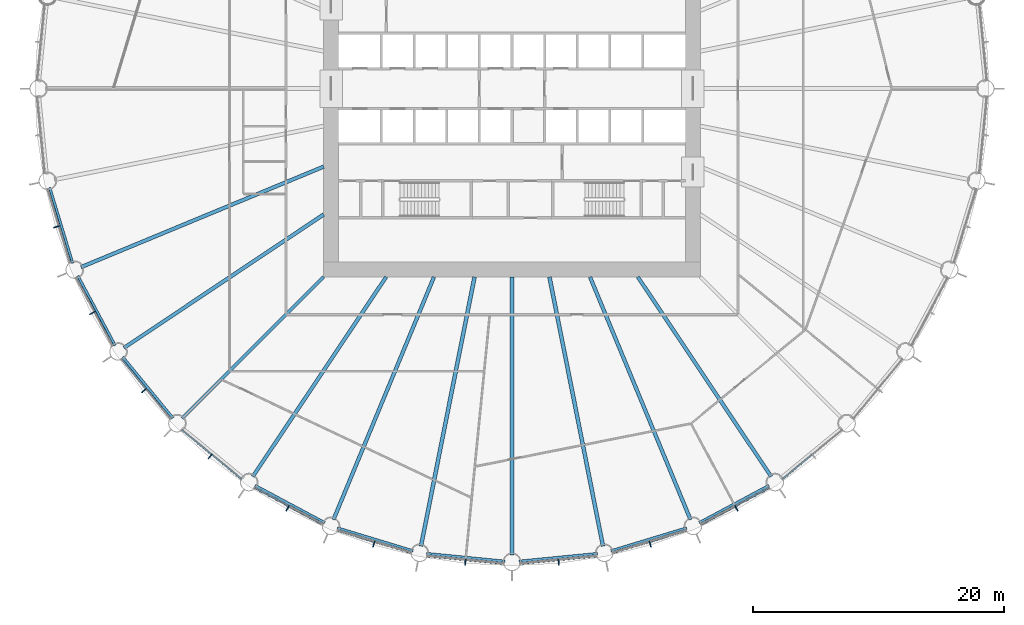
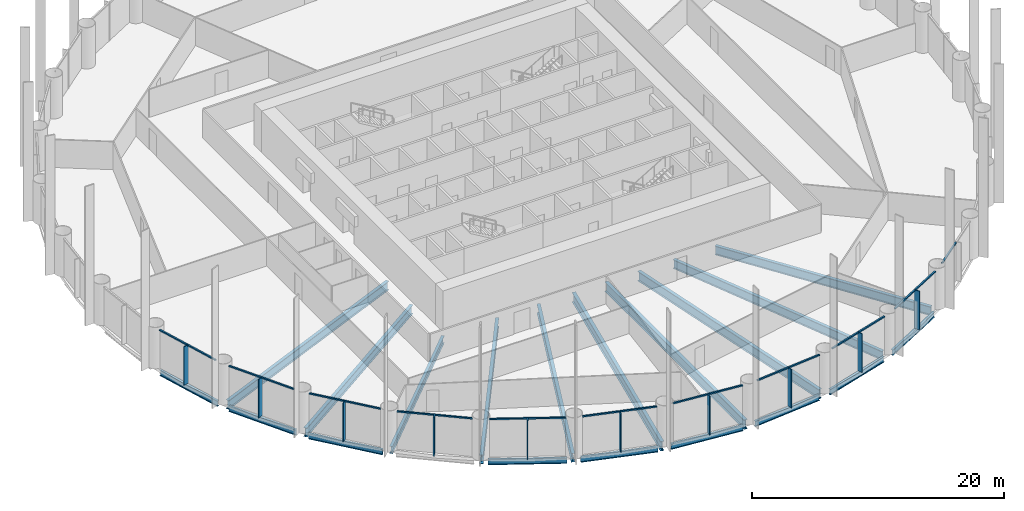
# One storey, part 2 of 14: 31 members, 19 beams, 11 elements without a shape of their own.
"""IFC4 building model written with IfcOpenShell, lengths in metres."""

from ifc_helpers import new_model, si_unit, direction, frame, origin, origin_2d, place, context, subcontext, project, spatial, rectangle, i_section, extrude, material, material_profile, profile_set, type_object, element, aggregate, save


model = new_model("IFC4")

# Units and contexts
model_context = context("Model", 3, precision=1e-05, world=origin(), true_north=direction((0.0, 1.0)))
body_context = subcontext(model_context, "Body", "Model", "MODEL_VIEW")
ifc_project = project(units=[si_unit("LENGTHUNIT", "METRE"), si_unit("AREAUNIT", "SQUARE_METRE"), si_unit("VOLUMEUNIT", "CUBIC_METRE"), si_unit("PLANEANGLEUNIT", "RADIAN"), si_unit("MASSUNIT", "GRAM", prefix="KILO")], contexts=[model_context])

# Site, building, storey
site_placement = place(None, origin())
site = spatial("IfcSite", under=ifc_project, at=site_placement, CompositionType="ELEMENT")
building_placement = place(site_placement, origin())
building = spatial("IfcBuilding", under=site, at=building_placement, Name="Corvane Civic Tower", CompositionType="ELEMENT")
storey_placement = place(building_placement, frame((0.0, 0.0, 77.0)))
storey = spatial("IfcBuildingStorey", under=building, at=storey_placement, Name="L17", CompositionType="ELEMENT", Elevation=77.0)

# Beams
ifc_material_1 = material(Name="Steel ASTM A992 Gr 50", Category="steel")
ifc_material_profile_1 = material_profile(ifc_material_1, i_section(OverallWidth=0.209228515625, OverallDepth=0.533447265625, WebThickness=0.01025390625, FlangeThickness=0.015625, at=origin_2d()), Name="W21X62")
ifc_profile_set_1 = profile_set([ifc_material_profile_1], Name="Steel ASTM A992 Gr 50")
beam_type_1 = type_object("IfcBeamType", Name="EDGE BEAM W21X62", PredefinedType="BEAM", material=ifc_profile_set_1)
for number, where, z_axis, x_axis, name in (
    (1, (20.4599609375, -31.605712890625, -0.566650390625), (-0.881916367906, -0.471405897311, 0.0), (0.471405897311, -0.881916367906, 0.0), "BM-L17-E14"),
    (2, (13.90087890625, -34.989990234375, -0.566650390625), (-0.956943740748, -0.290273452184, 0.0), (0.290273452184, -0.956943740748, 0.0), "BM-L17-E15"),
):
    element("IfcBeam", number, at=place(storey_placement, frame(where, z_axis=z_axis, x_axis=x_axis)), inside=storey, type_object=beam_type_1, Name=name, PredefinedType="BEAM", context=body_context, shape_type="SweptSolid", body=[
        extrude(i_section(OverallWidth=0.209228515625, OverallDepth=0.533447265625, WebThickness=0.01025390625, FlangeThickness=0.015625, at=origin_2d()), origin(), (0.0, 0.0, 1.0), 6.290283203125),
    ])
for number, where, z_axis, x_axis, name in (
    (3, (6.8076171875, -37.029541015625, -0.566650390625), (-0.995186682089, -0.097997284622, 0.0), (0.097997284622, -0.995186682089, 0.0), "BM-L17-E16"),
    (4, (-0.54736328125, -37.64599609375, -0.566650390625), (-0.995186682089, 0.097997284622, 0.0), (-0.097997284622, -0.995186682089, 0.0), "BM-L17-E17"),
):
    element("IfcBeam", number, at=place(storey_placement, frame(where, z_axis=z_axis, x_axis=x_axis)), inside=storey, type_object=beam_type_1, Name=name, PredefinedType="BEAM", context=body_context, shape_type="SweptSolid", body=[
        extrude(i_section(OverallWidth=0.209228515625, OverallDepth=0.533447265625, WebThickness=0.01025390625, FlangeThickness=0.015625, at=origin_2d()), origin(), (0.0, 0.0, 1.0), 6.29052734375),
    ])
for number, where, z_axis, x_axis, name in (
    (5, (-7.88134765625, -36.81591796875, -0.566650390625), (-0.956943740748, 0.290273452184, 0.0), (-0.290273452184, -0.956943740748, 0.0), "BM-L17-E18"),
    (6, (-14.912353515625, -34.571044921875, -0.566650390625), (-0.881916367906, 0.471405897311, 0.0), (-0.471405897311, -0.881916367906, 0.0), "BM-L17-E19"),
):
    element("IfcBeam", number, at=place(storey_placement, frame(where, z_axis=z_axis, x_axis=x_axis)), inside=storey, type_object=beam_type_1, Name=name, PredefinedType="BEAM", context=body_context, shape_type="SweptSolid", body=[
        extrude(i_section(OverallWidth=0.209228515625, OverallDepth=0.533447265625, WebThickness=0.01025390625, FlangeThickness=0.015625, at=origin_2d()), origin(), (0.0, 0.0, 1.0), 6.290283203125),
    ])
beam_1_placement = place(storey_placement, frame((-27.0068359375, -26.23291015625, -0.566650390625), z_axis=(-0.634386787141, 0.773015785286, 0.0), x_axis=(-0.773015785286, -0.634386787141, 0.0)))
element("IfcBeam", 7, at=beam_1_placement, inside=storey, type_object=beam_type_1, Name="BM-L17-E21", PredefinedType="BEAM", context=body_context, shape_type="SweptSolid", body=[
    extrude(i_section(OverallWidth=0.209228515625, OverallDepth=0.533447265625, WebThickness=0.01025390625, FlangeThickness=0.015625, at=origin_2d()), origin(), (0.0, 0.0, 1.0), 6.290771484375),
])
for number, where, z_axis, x_axis, name in (
    (8, (-31.605712890625, -20.4599609375, -0.566650390625), (-0.471405897311, 0.881916367906, 0.0), (-0.881916367906, -0.471405897311, 0.0), "BM-L17-E22"),
    (9, (-34.989990234375, -13.90087890625, -0.566650390625), (-0.290273452184, 0.956943740748, 0.0), (-0.956943740748, -0.290273452184, 0.0), "BM-L17-E23"),
):
    element("IfcBeam", number, at=place(storey_placement, frame(where, z_axis=z_axis, x_axis=x_axis)), inside=storey, type_object=beam_type_1, Name=name, PredefinedType="BEAM", context=body_context, shape_type="SweptSolid", body=[
        extrude(i_section(OverallWidth=0.209228515625, OverallDepth=0.533447265625, WebThickness=0.01025390625, FlangeThickness=0.015625, at=origin_2d()), origin(), (0.0, 0.0, 1.0), 6.290283203125),
    ])
ifc_material_2 = material(Name="Steel ASTM A992 Gr 50", Category="steel")
ifc_material_profile_2 = material_profile(ifc_material_2, i_section(OverallWidth=0.256591796875, OverallDepth=0.693359375, WebThickness=0.014404296875, FlangeThickness=0.023681640625, at=origin_2d()), Name="W27X114")
ifc_profile_set_2 = profile_set([ifc_material_profile_2], Name="Steel ASTM A992 Gr 50")
beam_type_2 = type_object("IfcBeamType", Name="FLOOR GIRDER W27X114", PredefinedType="BEAM", material=ifc_profile_set_2)
beam_2_placement = place(storey_placement, frame((-15.0, -15.0, -0.646728515625), z_axis=(-0.707106781187, -0.707106781187, 0.0), x_axis=(0.707106781187, -0.707106781187, 0.0)))
element("IfcBeam", 10, at=beam_2_placement, inside=storey, type_object=beam_type_2, Name="BM-L17-G21", PredefinedType="BEAM", context=body_context, shape_type="SweptSolid", body=[
    extrude(i_section(OverallWidth=0.256591796875, OverallDepth=0.693359375, WebThickness=0.014404296875, FlangeThickness=0.023681640625, at=origin_2d()), origin(), (0.0, 0.0, 1.0), 15.936767578125),
])
ifc_material_3 = material(Name="Steel ASTM A992 Gr 50", Category="steel")
ifc_material_profile_3 = material_profile(ifc_material_3, i_section(OverallWidth=0.2919921875, OverallDepth=0.8583984375, WebThickness=0.01708984375, FlangeThickness=0.031005859375, at=origin_2d()), Name="W33X169")
ifc_profile_set_3 = profile_set([ifc_material_profile_3], Name="Steel ASTM A992 Gr 50")
beam_type_3 = type_object("IfcBeamType", Name="FLOOR GIRDER W33X169", PredefinedType="BEAM", material=ifc_profile_set_3)
beam_3_placement = place(storey_placement, frame((10.022705078125, -15.0, -0.729248046875), z_axis=(0.555566681385, -0.831471985418, 0.0), x_axis=(0.831471985418, 0.555566681385, 0.0)))
element("IfcBeam", 11, at=beam_3_placement, inside=storey, type_object=beam_type_3, Name="BM-L17-G14", PredefinedType="BEAM", context=body_context, shape_type="SweptSolid", body=[
    extrude(i_section(OverallWidth=0.2919921875, OverallDepth=0.8583984375, WebThickness=0.01708984375, FlangeThickness=0.031005859375, at=origin_2d()), origin(), (0.0, 0.0, 1.0), 19.109619140625),
])
for number, where, z_axis, x_axis, name in (
    (12, (6.213134765625, -15.0, -0.729248046875), (0.382692360381, -0.923875834355, 0.0), (0.923875834355, 0.382692360381, 0.0), "BM-L17-G15"),
    (13, (-6.213134765625, -15.0, -0.729248046875), (-0.382692360381, -0.923875834355, 0.0), (0.923875834355, -0.382692360381, 0.0), "BM-L17-G19"),
):
    element("IfcBeam", number, at=place(storey_placement, frame(where, z_axis=z_axis, x_axis=x_axis)), inside=storey, type_object=beam_type_3, Name=name, PredefinedType="BEAM", context=body_context, shape_type="SweptSolid", body=[
        extrude(i_section(OverallWidth=0.2919921875, OverallDepth=0.8583984375, WebThickness=0.01708984375, FlangeThickness=0.031005859375, at=origin_2d()), origin(), (0.0, 0.0, 1.0), 20.9140625),
    ])
for number, where, z_axis, x_axis, name in (
    (14, (-10.022705078125, -15.0, -0.729248046875), (-0.555566681385, -0.831471985418, 0.0), (0.831471985418, -0.555566681385, 0.0), "BM-L17-G20"),
    (15, (-15.0, -10.022705078125, -0.729248046875), (-0.831471985418, -0.555566681385, 0.0), (0.555566681385, -0.831471985418, 0.0), "BM-L17-G22"),
):
    element("IfcBeam", number, at=place(storey_placement, frame(where, z_axis=z_axis, x_axis=x_axis)), inside=storey, type_object=beam_type_3, Name=name, PredefinedType="BEAM", context=body_context, shape_type="SweptSolid", body=[
        extrude(i_section(OverallWidth=0.2919921875, OverallDepth=0.8583984375, WebThickness=0.01708984375, FlangeThickness=0.031005859375, at=origin_2d()), origin(), (0.0, 0.0, 1.0), 19.109619140625),
    ])
beam_4_placement = place(storey_placement, frame((-15.0, -6.213134765625, -0.729248046875), z_axis=(-0.923875834355, -0.382692360381, 0.0), x_axis=(0.382692360381, -0.923875834355, 0.0)))
element("IfcBeam", 16, at=beam_4_placement, inside=storey, type_object=beam_type_3, Name="BM-L17-G23", PredefinedType="BEAM", context=body_context, shape_type="SweptSolid", body=[
    extrude(i_section(OverallWidth=0.2919921875, OverallDepth=0.8583984375, WebThickness=0.01708984375, FlangeThickness=0.031005859375, at=origin_2d()), origin(), (0.0, 0.0, 1.0), 20.9140625),
])
ifc_material_4 = material(Name="Steel ASTM A992 Gr 50", Category="steel")
ifc_material_profile_4 = material_profile(ifc_material_4, i_section(OverallWidth=0.307373046875, OverallDepth=0.927001953125, WebThickness=0.01953125, FlangeThickness=0.031982421875, at=origin_2d()), Name="W36X194")
ifc_profile_set_4 = profile_set([ifc_material_profile_4], Name="Steel ASTM A992 Gr 50")
beam_type_4 = type_object("IfcBeamType", Name="FLOOR GIRDER W36X194", PredefinedType="BEAM", material=ifc_profile_set_4)
beam_5_placement = place(storey_placement, frame((2.983642578125, -15.0, -0.763671875), z_axis=(0.195089219638, -0.980785499679, 0.0), x_axis=(0.980785499679, 0.195089219638, 0.0)))
element("IfcBeam", 17, at=beam_5_placement, inside=storey, type_object=beam_type_4, Name="BM-L17-G16", PredefinedType="BEAM", context=body_context, shape_type="SweptSolid", body=[
    extrude(i_section(OverallWidth=0.307373046875, OverallDepth=0.927001953125, WebThickness=0.01953125, FlangeThickness=0.031982421875, at=origin_2d()), origin(), (0.0, 0.0, 1.0), 21.856201171875),
])
beam_6_placement = place(storey_placement, frame((0.0, -15.0, -0.763671875), z_axis=(0.0, -1.0, 0.0), x_axis=(1.0, 0.0, 0.0)))
element("IfcBeam", 18, at=beam_6_placement, inside=storey, type_object=beam_type_4, Name="BM-L17-G17", PredefinedType="BEAM", context=body_context, shape_type="SweptSolid", body=[
    extrude(i_section(OverallWidth=0.307373046875, OverallDepth=0.927001953125, WebThickness=0.01953125, FlangeThickness=0.031982421875, at=origin_2d()), origin(), (0.0, 0.0, 1.0), 22.14990234375),
])
beam_7_placement = place(storey_placement, frame((-2.983642578125, -15.0, -0.763671875), z_axis=(-0.195089219638, -0.980785499679, 0.0), x_axis=(0.980785499679, -0.195089219638, 0.0)))
element("IfcBeam", 19, at=beam_7_placement, inside=storey, type_object=beam_type_4, Name="BM-L17-G18", PredefinedType="BEAM", context=body_context, shape_type="SweptSolid", body=[
    extrude(i_section(OverallWidth=0.307373046875, OverallDepth=0.927001953125, WebThickness=0.01953125, FlangeThickness=0.031982421875, at=origin_2d()), origin(), (0.0, 0.0, 1.0), 21.856201171875),
])

# Curtain wall, member
ifc_material_5 = material(Name="Anodised aluminium bronze", Category="aluminium")
curtain_wall_type = type_object("IfcCurtainWallType", Name="TOWER CW-T1 STICK CURTAIN WALL", PredefinedType="NOTDEFINED", material=ifc_material_5)
curtain_wall_1_placement = place(storey_placement, origin())
curtain_wall_1 = element("IfcCurtainWall", 20, at=curtain_wall_1_placement, inside=storey, type_object=curtain_wall_type, Name="Curtain wall CW-T1 L17 bay 13", PredefinedType="NOTDEFINED")
ifc_material_6 = material(Name="Anodised aluminium bronze", Category="aluminium")
ifc_material_profile_5 = material_profile(ifc_material_6, rectangle(XDim=0.139892578125, YDim=0.1201171875, at=origin_2d()), Name="TOWER CW-T1 TRANSOM 140x120")
ifc_profile_set_5 = profile_set([ifc_material_profile_5], Name="Anodised aluminium bronze")
member_type_1 = type_object("IfcMemberType", Name="TOWER CW-T1 TRANSOM 140x120", PredefinedType="USERDEFINED", material=ifc_profile_set_5)
member_1_placement = place(storey_placement, frame((23.88427734375, -29.166015625, 3.68994140625), z_axis=(-0.773041738279, -0.634355161466, 0.0), x_axis=(0.634355161466, -0.773041738279, 0.0)))
member_1 = element("IfcMember", 21, at=member_1_placement, type_object=member_type_1, Name="Transom CW-T1 L17 13.2", ObjectType="TRANSOM", PredefinedType="USERDEFINED", context=body_context, shape_type="SweptSolid", body=[
    extrude(rectangle(XDim=0.139892578125, YDim=0.1201171875, at=origin_2d()), origin(), (0.0, 0.0, 1.0), 3.008544921875),
])
aggregate(curtain_wall_1, [member_1])

# Curtain wall, members
curtain_wall_2_placement = place(storey_placement, origin())
curtain_wall_2 = element("IfcCurtainWall", 22, at=curtain_wall_2_placement, inside=storey, type_object=curtain_wall_type, Name="Curtain wall CW-T1 L17 bay 14", PredefinedType="NOTDEFINED")
member_2_placement = place(storey_placement, frame((20.459228515625, -31.809326171875, 3.68994140625), z_axis=(-0.881923525532, -0.471392506424, 0.0), x_axis=(0.471392506424, -0.881923525532, 0.0)))
member_2 = element("IfcMember", 23, at=member_2_placement, type_object=member_type_1, Name="Transom CW-T1 L17 14.1", ObjectType="TRANSOM", PredefinedType="USERDEFINED", context=body_context, shape_type="SweptSolid", body=[
    extrude(rectangle(XDim=0.139892578125, YDim=0.1201171875, at=origin_2d()), origin(), (0.0, 0.0, 1.0), 3.008544921875),
])
member_3_placement = place(storey_placement, frame((17.7353515625, -33.26513671875, 3.68994140625), z_axis=(-0.881923525532, -0.471392506424, 0.0), x_axis=(0.471392506424, -0.881923525532, 0.0)))
member_3 = element("IfcMember", 24, at=member_3_placement, type_object=member_type_1, Name="Transom CW-T1 L17 14.2", ObjectType="TRANSOM", PredefinedType="USERDEFINED", context=body_context, shape_type="SweptSolid", body=[
    extrude(rectangle(XDim=0.139892578125, YDim=0.1201171875, at=origin_2d()), origin(), (0.0, 0.0, 1.0), 3.008544921875),
])

curtain_wall_3_placement = place(storey_placement, origin())
curtain_wall_3 = element("IfcCurtainWall", 25, at=curtain_wall_3_placement, inside=storey, type_object=curtain_wall_type, Name="Curtain wall CW-T1 L17 bay 15", PredefinedType="NOTDEFINED")
member_4_placement = place(storey_placement, frame((13.8603515625, -35.189453125, 3.68994140625), z_axis=(-0.956941780555, -0.290279914268, 0.0), x_axis=(0.290279914268, -0.956941780555, 0.0)))
member_4 = element("IfcMember", 26, at=member_4_placement, type_object=member_type_1, Name="Transom CW-T1 L17 15.1", ObjectType="TRANSOM", PredefinedType="USERDEFINED", context=body_context, shape_type="SweptSolid", body=[
    extrude(rectangle(XDim=0.139892578125, YDim=0.1201171875, at=origin_2d()), origin(), (0.0, 0.0, 1.0), 3.008544921875),
])
member_5_placement = place(storey_placement, frame((10.90478515625, -36.0859375, 3.68994140625), z_axis=(-0.956941780555, -0.290279914268, 0.0), x_axis=(0.290279914268, -0.956941780555, 0.0)))
member_5 = element("IfcMember", 27, at=member_5_placement, type_object=member_type_1, Name="Transom CW-T1 L17 15.2", ObjectType="TRANSOM", PredefinedType="USERDEFINED", context=body_context, shape_type="SweptSolid", body=[
    extrude(rectangle(XDim=0.139892578125, YDim=0.1201171875, at=origin_2d()), origin(), (0.0, 0.0, 1.0), 3.008544921875),
])

curtain_wall_4_placement = place(storey_placement, origin())
curtain_wall_4 = element("IfcCurtainWall", 28, at=curtain_wall_4_placement, inside=storey, type_object=curtain_wall_type, Name="Curtain wall CW-T1 L17 bay 16", PredefinedType="NOTDEFINED")
member_6_placement = place(storey_placement, frame((6.72900390625, -37.21728515625, 3.68994140625), z_axis=(-0.995191836722, -0.097944923917, 0.0), x_axis=(0.097944923917, -0.995191836722, 0.0)))
member_6 = element("IfcMember", 29, at=member_6_placement, type_object=member_type_1, Name="Transom CW-T1 L17 16.1", ObjectType="TRANSOM", PredefinedType="USERDEFINED", context=body_context, shape_type="SweptSolid", body=[
    extrude(rectangle(XDim=0.139892578125, YDim=0.1201171875, at=origin_2d()), origin(), (0.0, 0.0, 1.0), 3.008544921875),
])
member_7_placement = place(storey_placement, frame((3.6552734375, -37.52001953125, 3.68994140625), z_axis=(-0.995191836722, -0.097944923917, 0.0), x_axis=(0.097944923917, -0.995191836722, 0.0)))
member_7 = element("IfcMember", 30, at=member_7_placement, type_object=member_type_1, Name="Transom CW-T1 L17 16.2", ObjectType="TRANSOM", PredefinedType="USERDEFINED", context=body_context, shape_type="SweptSolid", body=[
    extrude(rectangle(XDim=0.139892578125, YDim=0.1201171875, at=origin_2d()), origin(), (0.0, 0.0, 1.0), 3.008544921875),
])

curtain_wall_5_placement = place(storey_placement, origin())
curtain_wall_5 = element("IfcCurtainWall", 31, at=curtain_wall_5_placement, inside=storey, type_object=curtain_wall_type, Name="Curtain wall CW-T1 L17 bay 17", PredefinedType="NOTDEFINED")
member_8_placement = place(storey_placement, frame((-0.6611328125, -37.814697265625, 3.68994140625), z_axis=(-0.995191836722, 0.097944923917, 0.0), x_axis=(-0.097944923917, -0.995191836722, 0.0)))
member_8 = element("IfcMember", 32, at=member_8_placement, type_object=member_type_1, Name="Transom CW-T1 L17 17.1", ObjectType="TRANSOM", PredefinedType="USERDEFINED", context=body_context, shape_type="SweptSolid", body=[
    extrude(rectangle(XDim=0.139892578125, YDim=0.1201171875, at=origin_2d()), origin(), (0.0, 0.0, 1.0), 3.008544921875),
])
member_9_placement = place(storey_placement, frame((-3.73486328125, -37.511962890625, 3.68994140625), z_axis=(-0.995191836722, 0.097944923917, 0.0), x_axis=(-0.097944923917, -0.995191836722, 0.0)))
member_9 = element("IfcMember", 33, at=member_9_placement, type_object=member_type_1, Name="Transom CW-T1 L17 17.2", ObjectType="TRANSOM", PredefinedType="USERDEFINED", context=body_context, shape_type="SweptSolid", body=[
    extrude(rectangle(XDim=0.139892578125, YDim=0.1201171875, at=origin_2d()), origin(), (0.0, 0.0, 1.0), 3.008544921875),
])

curtain_wall_6_placement = place(storey_placement, origin())
curtain_wall_6 = element("IfcCurtainWall", 34, at=curtain_wall_6_placement, inside=storey, type_object=curtain_wall_type, Name="Curtain wall CW-T1 L17 bay 18", PredefinedType="NOTDEFINED")
member_10_placement = place(storey_placement, frame((-8.02587890625, -36.959228515625, 3.68994140625), z_axis=(-0.956941780555, 0.290279914268, 0.0), x_axis=(-0.290279914268, -0.956941780555, 0.0)))
member_10 = element("IfcMember", 35, at=member_10_placement, type_object=member_type_1, Name="Transom CW-T1 L17 18.1", ObjectType="TRANSOM", PredefinedType="USERDEFINED", context=body_context, shape_type="SweptSolid", body=[
    extrude(rectangle(XDim=0.139892578125, YDim=0.1201171875, at=origin_2d()), origin(), (0.0, 0.0, 1.0), 3.008544921875),
])
member_11_placement = place(storey_placement, frame((-10.9814453125, -36.062744140625, 3.68994140625), z_axis=(-0.956941780555, 0.290279914268, 0.0), x_axis=(-0.290279914268, -0.956941780555, 0.0)))
member_11 = element("IfcMember", 36, at=member_11_placement, type_object=member_type_1, Name="Transom CW-T1 L17 18.2", ObjectType="TRANSOM", PredefinedType="USERDEFINED", context=body_context, shape_type="SweptSolid", body=[
    extrude(rectangle(XDim=0.139892578125, YDim=0.1201171875, at=origin_2d()), origin(), (0.0, 0.0, 1.0), 3.008544921875),
])

curtain_wall_7_placement = place(storey_placement, origin())
curtain_wall_7 = element("IfcCurtainWall", 37, at=curtain_wall_7_placement, inside=storey, type_object=curtain_wall_type, Name="Curtain wall CW-T1 L17 bay 19", PredefinedType="NOTDEFINED")
member_12_placement = place(storey_placement, frame((-15.08203125, -34.683349609375, 3.68994140625), z_axis=(-0.881923525532, 0.471392506424, 0.0), x_axis=(-0.471392506424, -0.881923525532, 0.0)))
member_12 = element("IfcMember", 38, at=member_12_placement, type_object=member_type_1, Name="Transom CW-T1 L17 19.1", ObjectType="TRANSOM", PredefinedType="USERDEFINED", context=body_context, shape_type="SweptSolid", body=[
    extrude(rectangle(XDim=0.139892578125, YDim=0.1201171875, at=origin_2d()), origin(), (0.0, 0.0, 1.0), 3.008544921875),
])
member_13_placement = place(storey_placement, frame((-17.805908203125, -33.2275390625, 3.68994140625), z_axis=(-0.881923525532, 0.471392506424, 0.0), x_axis=(-0.471392506424, -0.881923525532, 0.0)))
member_13 = element("IfcMember", 39, at=member_13_placement, type_object=member_type_1, Name="Transom CW-T1 L17 19.2", ObjectType="TRANSOM", PredefinedType="USERDEFINED", context=body_context, shape_type="SweptSolid", body=[
    extrude(rectangle(XDim=0.139892578125, YDim=0.1201171875, at=origin_2d()), origin(), (0.0, 0.0, 1.0), 3.008544921875),
])

curtain_wall_8_placement = place(storey_placement, origin())
curtain_wall_8 = element("IfcCurtainWall", 40, at=curtain_wall_8_placement, inside=storey, type_object=curtain_wall_type, Name="Curtain wall CW-T1 L17 bay 20", PredefinedType="NOTDEFINED")
member_14_placement = place(storey_placement, frame((-21.55859375, -31.074462890625, 3.68994140625), z_axis=(-0.773041738279, 0.634355161466, 0.0), x_axis=(-0.634355161466, -0.773041738279, 0.0)))
member_14 = element("IfcMember", 41, at=member_14_placement, type_object=member_type_1, Name="Transom CW-T1 L17 20.1", ObjectType="TRANSOM", PredefinedType="USERDEFINED", context=body_context, shape_type="SweptSolid", body=[
    extrude(rectangle(XDim=0.139892578125, YDim=0.1201171875, at=origin_2d()), origin(), (0.0, 0.0, 1.0), 3.008544921875),
])
member_15_placement = place(storey_placement, frame((-23.946044921875, -29.115234375, 3.68994140625), z_axis=(-0.773001943873, 0.634403652865, 0.0), x_axis=(-0.634403652865, -0.773001943873, 0.0)))
member_15 = element("IfcMember", 42, at=member_15_placement, type_object=member_type_1, Name="Transom CW-T1 L17 20.2", ObjectType="TRANSOM", PredefinedType="USERDEFINED", context=body_context, shape_type="SweptSolid", body=[
    extrude(rectangle(XDim=0.139892578125, YDim=0.1201171875, at=origin_2d()), origin(), (0.0, 0.0, 1.0), 3.008544921875),
])

curtain_wall_9_placement = place(storey_placement, origin())
curtain_wall_9 = element("IfcCurtainWall", 43, at=curtain_wall_9_placement, inside=storey, type_object=curtain_wall_type, Name="Curtain wall CW-T1 L17 bay 21", PredefinedType="NOTDEFINED")
member_16_placement = place(storey_placement, frame((-27.20654296875, -26.271728515625, 3.68994140625), z_axis=(-0.634403652865, 0.773001943873, 0.0), x_axis=(-0.773001943873, -0.634403652865, 0.0)))
member_16 = element("IfcMember", 44, at=member_16_placement, type_object=member_type_1, Name="Transom CW-T1 L17 21.1", ObjectType="TRANSOM", PredefinedType="USERDEFINED", context=body_context, shape_type="SweptSolid", body=[
    extrude(rectangle(XDim=0.139892578125, YDim=0.1201171875, at=origin_2d()), origin(), (0.0, 0.0, 1.0), 3.008544921875),
])
member_17_placement = place(storey_placement, frame((-29.166015625, -23.88427734375, 3.68994140625), z_axis=(-0.634355161466, 0.773041738279, 0.0), x_axis=(-0.773041738279, -0.634355161466, 0.0)))
member_17 = element("IfcMember", 45, at=member_17_placement, type_object=member_type_1, Name="Transom CW-T1 L17 21.2", ObjectType="TRANSOM", PredefinedType="USERDEFINED", context=body_context, shape_type="SweptSolid", body=[
    extrude(rectangle(XDim=0.139892578125, YDim=0.1201171875, at=origin_2d()), origin(), (0.0, 0.0, 1.0), 3.008544921875),
])

curtain_wall_10_placement = place(storey_placement, origin())
curtain_wall_10 = element("IfcCurtainWall", 46, at=curtain_wall_10_placement, inside=storey, type_object=curtain_wall_type, Name="Curtain wall CW-T1 L17 bay 22", PredefinedType="NOTDEFINED")
member_18_placement = place(storey_placement, frame((-31.809326171875, -20.459228515625, 3.68994140625), z_axis=(-0.471392506424, 0.881923525532, 0.0), x_axis=(-0.881923525532, -0.471392506424, 0.0)))
member_18 = element("IfcMember", 47, at=member_18_placement, type_object=member_type_1, Name="Transom CW-T1 L17 22.1", ObjectType="TRANSOM", PredefinedType="USERDEFINED", context=body_context, shape_type="SweptSolid", body=[
    extrude(rectangle(XDim=0.139892578125, YDim=0.1201171875, at=origin_2d()), origin(), (0.0, 0.0, 1.0), 3.008544921875),
])
member_19_placement = place(storey_placement, frame((-33.26513671875, -17.7353515625, 3.68994140625), z_axis=(-0.471392506424, 0.881923525532, 0.0), x_axis=(-0.881923525532, -0.471392506424, 0.0)))
member_19 = element("IfcMember", 48, at=member_19_placement, type_object=member_type_1, Name="Transom CW-T1 L17 22.2", ObjectType="TRANSOM", PredefinedType="USERDEFINED", context=body_context, shape_type="SweptSolid", body=[
    extrude(rectangle(XDim=0.139892578125, YDim=0.1201171875, at=origin_2d()), origin(), (0.0, 0.0, 1.0), 3.008544921875),
])

curtain_wall_11_placement = place(storey_placement, origin())
curtain_wall_11 = element("IfcCurtainWall", 49, at=curtain_wall_11_placement, inside=storey, type_object=curtain_wall_type, Name="Curtain wall CW-T1 L17 bay 23", PredefinedType="NOTDEFINED")
member_20_placement = place(storey_placement, frame((-35.189453125, -13.8603515625, 3.68994140625), z_axis=(-0.290279914268, 0.956941780555, 0.0), x_axis=(-0.956941780555, -0.290279914268, 0.0)))
member_20 = element("IfcMember", 50, at=member_20_placement, type_object=member_type_1, Name="Transom CW-T1 L17 23.1", ObjectType="TRANSOM", PredefinedType="USERDEFINED", context=body_context, shape_type="SweptSolid", body=[
    extrude(rectangle(XDim=0.139892578125, YDim=0.1201171875, at=origin_2d()), origin(), (0.0, 0.0, 1.0), 3.008544921875),
])
member_21_placement = place(storey_placement, frame((-36.0859375, -10.90478515625, 3.68994140625), z_axis=(-0.290279914268, 0.956941780555, 0.0), x_axis=(-0.956941780555, -0.290279914268, 0.0)))
member_21 = element("IfcMember", 51, at=member_21_placement, type_object=member_type_1, Name="Transom CW-T1 L17 23.2", ObjectType="TRANSOM", PredefinedType="USERDEFINED", context=body_context, shape_type="SweptSolid", body=[
    extrude(rectangle(XDim=0.139892578125, YDim=0.1201171875, at=origin_2d()), origin(), (0.0, 0.0, 1.0), 3.008544921875),
])

# Member
ifc_material_7 = material(Name="Anodised aluminium bronze", Category="aluminium")
ifc_material_profile_6 = material_profile(ifc_material_7, rectangle(XDim=0.080078125, YDim=0.5, at=origin_2d()), Name="TOWER FIN MULLION 80x500 BRONZE")
ifc_profile_set_6 = profile_set([ifc_material_profile_6], Name="Anodised aluminium bronze")
member_type_2 = type_object("IfcMemberType", Name="TOWER FIN MULLION 80x500 BRONZE", PredefinedType="MULLION", material=ifc_profile_set_6)
member_22_placement = place(storey_placement, frame((17.86474609375, -33.422607421875, 0.0), z_axis=(0.0, 0.0, 1.0), x_axis=(-0.881917528864, -0.471403725359, 0.0)))
member_22 = element("IfcMember", 52, at=member_22_placement, type_object=member_type_2, Name="Fin mullion 14 L17", PredefinedType="MULLION", context=body_context, shape_type="SweptSolid", body=[
    extrude(rectangle(XDim=0.080078125, YDim=0.5, at=origin_2d()), origin(), (0.0, 0.0, 1.0), 3.75),
])

aggregate(curtain_wall_2, [member_22, member_2, member_3])

member_23_placement = place(storey_placement, frame((11.001220703125, -36.265625, 0.0), z_axis=(0.0, 0.0, 1.0), x_axis=(-0.956942240606, -0.290278397654, 0.0)))
member_23 = element("IfcMember", 53, at=member_23_placement, type_object=member_type_2, Name="Fin mullion 15 L17", PredefinedType="MULLION", context=body_context, shape_type="SweptSolid", body=[
    extrude(rectangle(XDim=0.080078125, YDim=0.5, at=origin_2d()), origin(), (0.0, 0.0, 1.0), 3.75),
])

aggregate(curtain_wall_3, [member_23, member_4, member_5])

member_24_placement = place(storey_placement, frame((3.714599609375, -37.715087890625, 0.0), z_axis=(0.0, 0.0, 1.0), x_axis=(-0.995185800248, -0.098006239521, 0.0)))
member_24 = element("IfcMember", 54, at=member_24_placement, type_object=member_type_2, Name="Fin mullion 16 L17", PredefinedType="MULLION", context=body_context, shape_type="SweptSolid", body=[
    extrude(rectangle(XDim=0.080078125, YDim=0.5, at=origin_2d()), origin(), (0.0, 0.0, 1.0), 3.75),
])

aggregate(curtain_wall_4, [member_24, member_6, member_7])

member_25_placement = place(storey_placement, frame((-3.714599609375, -37.715087890625, 0.0), z_axis=(0.0, 0.0, 1.0), x_axis=(-0.995185800248, 0.098006239521, 0.0)))
member_25 = element("IfcMember", 55, at=member_25_placement, type_object=member_type_2, Name="Fin mullion 17 L17", PredefinedType="MULLION", context=body_context, shape_type="SweptSolid", body=[
    extrude(rectangle(XDim=0.080078125, YDim=0.5, at=origin_2d()), origin(), (0.0, 0.0, 1.0), 3.75),
])

aggregate(curtain_wall_5, [member_25, member_8, member_9])

member_26_placement = place(storey_placement, frame((-11.001220703125, -36.265625, 0.0), z_axis=(0.0, 0.0, 1.0), x_axis=(-0.956942240606, 0.290278397654, 0.0)))
member_26 = element("IfcMember", 56, at=member_26_placement, type_object=member_type_2, Name="Fin mullion 18 L17", PredefinedType="MULLION", context=body_context, shape_type="SweptSolid", body=[
    extrude(rectangle(XDim=0.080078125, YDim=0.5, at=origin_2d()), origin(), (0.0, 0.0, 1.0), 3.75),
])

aggregate(curtain_wall_6, [member_26, member_10, member_11])

member_27_placement = place(storey_placement, frame((-17.86474609375, -33.422607421875, 0.0), z_axis=(0.0, 0.0, 1.0), x_axis=(-0.881917528864, 0.471403725359, 0.0)))
member_27 = element("IfcMember", 57, at=member_27_placement, type_object=member_type_2, Name="Fin mullion 19 L17", PredefinedType="MULLION", context=body_context, shape_type="SweptSolid", body=[
    extrude(rectangle(XDim=0.080078125, YDim=0.5, at=origin_2d()), origin(), (0.0, 0.0, 1.0), 3.75),
])

aggregate(curtain_wall_7, [member_27, member_12, member_13])

member_28_placement = place(storey_placement, frame((-24.0419921875, -29.295166015625, 0.0), z_axis=(0.0, 0.0, 1.0), x_axis=(-0.773007224463, 0.634397218569, 0.0)))
member_28 = element("IfcMember", 58, at=member_28_placement, type_object=member_type_2, Name="Fin mullion 20 L17", PredefinedType="MULLION", context=body_context, shape_type="SweptSolid", body=[
    extrude(rectangle(XDim=0.080078125, YDim=0.5, at=origin_2d()), origin(), (0.0, 0.0, 1.0), 3.75),
])

aggregate(curtain_wall_8, [member_28, member_14, member_15])

member_29_placement = place(storey_placement, frame((-29.295166015625, -24.0419921875, 0.0), z_axis=(0.0, 0.0, 1.0), x_axis=(-0.634397218569, 0.773007224463, 0.0)))
member_29 = element("IfcMember", 59, at=member_29_placement, type_object=member_type_2, Name="Fin mullion 21 L17", PredefinedType="MULLION", context=body_context, shape_type="SweptSolid", body=[
    extrude(rectangle(XDim=0.080078125, YDim=0.5, at=origin_2d()), origin(), (0.0, 0.0, 1.0), 3.75),
])

aggregate(curtain_wall_9, [member_29, member_16, member_17])

member_30_placement = place(storey_placement, frame((-33.422607421875, -17.86474609375, 0.0), z_axis=(0.0, 0.0, 1.0), x_axis=(-0.471403725359, 0.881917528864, 0.0)))
member_30 = element("IfcMember", 60, at=member_30_placement, type_object=member_type_2, Name="Fin mullion 22 L17", PredefinedType="MULLION", context=body_context, shape_type="SweptSolid", body=[
    extrude(rectangle(XDim=0.080078125, YDim=0.5, at=origin_2d()), origin(), (0.0, 0.0, 1.0), 3.75),
])

aggregate(curtain_wall_10, [member_30, member_18, member_19])

member_31_placement = place(storey_placement, frame((-36.265625, -11.001220703125, 0.0), z_axis=(0.0, 0.0, 1.0), x_axis=(-0.290278397654, 0.956942240606, 0.0)))
member_31 = element("IfcMember", 61, at=member_31_placement, type_object=member_type_2, Name="Fin mullion 23 L17", PredefinedType="MULLION", context=body_context, shape_type="SweptSolid", body=[
    extrude(rectangle(XDim=0.080078125, YDim=0.5, at=origin_2d()), origin(), (0.0, 0.0, 1.0), 3.75),
])

aggregate(curtain_wall_11, [member_31, member_20, member_21])

save(model, "model.ifc")
